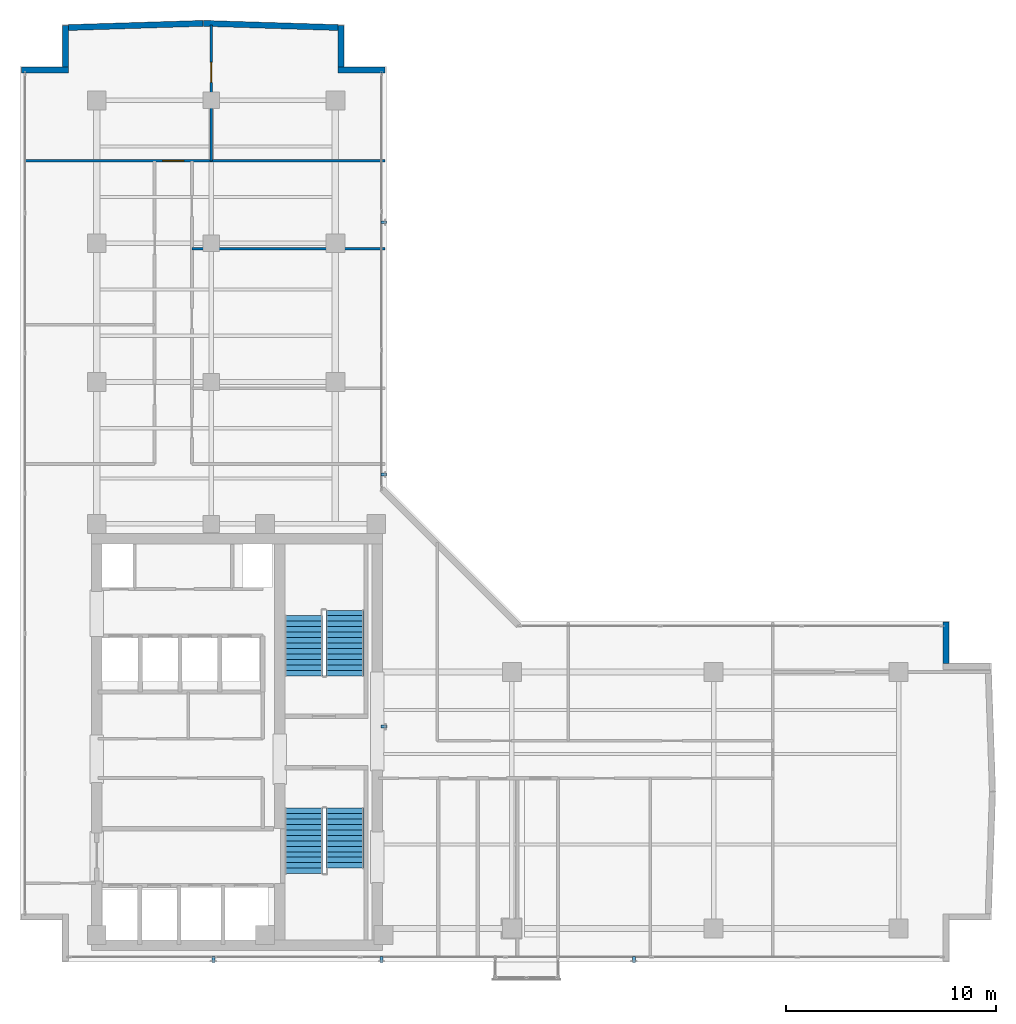
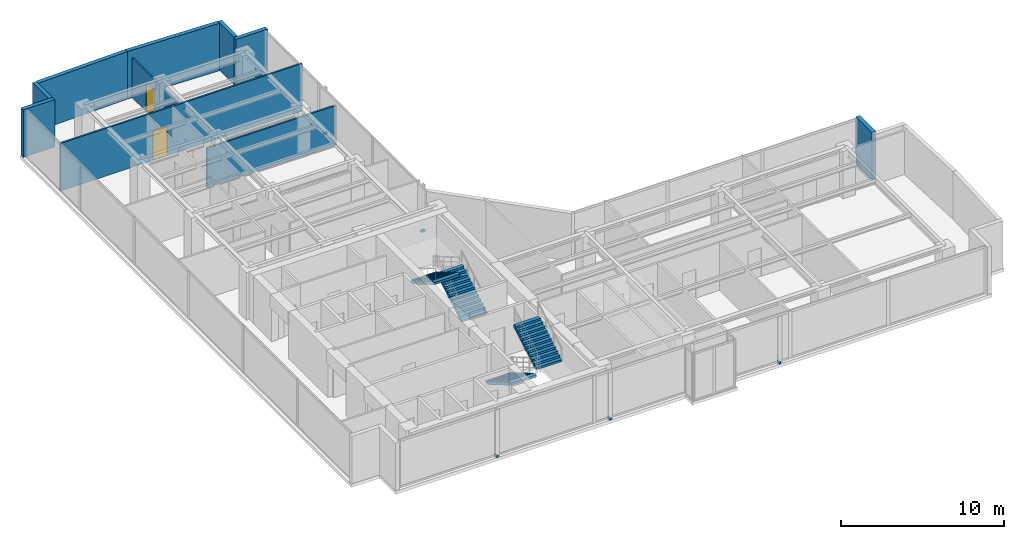
# One storey, part 19 of 22: 10 walls, 6 discrete accessories, 4 stair flights, 2 doors, 2 openings, 2 elements without a shape of their own.
"""IFC4 building model written with IfcOpenShell, lengths in metres."""

from ifc_helpers import new_model, si_unit, direction, frame, frame_2d, origin, origin_with_axes, origin_2d, place, context, subcontext, project, spatial, polyline, rectangle, outline, extrude, source, transform, mapped, material, layer, layer_set, type_object, element, fill, aggregate, save


model = new_model("IFC4")

# Units and contexts
model_context = context("Model", 3, precision=1e-05, world=origin(), true_north=direction((0.0, 1.0)))
body_context = subcontext(model_context, "Body", "Model", "MODEL_VIEW")
ifc_project = project(units=[si_unit("LENGTHUNIT", "METRE"), si_unit("AREAUNIT", "SQUARE_METRE"), si_unit("VOLUMEUNIT", "CUBIC_METRE"), si_unit("PLANEANGLEUNIT", "RADIAN"), si_unit("MASSUNIT", "GRAM", prefix="KILO")], contexts=[model_context])

# Site, building, storey
site_placement = place(None, origin())
site = spatial("IfcSite", under=ifc_project, at=site_placement, CompositionType="ELEMENT")
building_placement = place(site_placement, origin())
building = spatial("IfcBuilding", under=site, at=building_placement, Name="Kolvaren Waterfront Exchange", CompositionType="ELEMENT")
storey_placement = place(building_placement, frame((0.0, 0.0, 323.60009765625)))
storey = spatial("IfcBuildingStorey", under=building, at=storey_placement, Name="L83", CompositionType="ELEMENT", Elevation=323.60009765625)

# Walls
ifc_material_1 = material(Name="Precast concrete C40/50", Category="concrete")
ifc_layer_1 = layer(ifc_material_1, 0.280029296875, Name="Precast concrete C40/50")
ifc_layer_set_1 = layer_set([ifc_layer_1], Name="Precast concrete C40/50")
wall_type_1 = type_object("IfcWallType", Name="ARC-EXT-TERR-280", PredefinedType="SOLIDWALL", material=ifc_layer_set_1)
wall_1_placement = place(storey_placement, frame((47.8505859375, 17.796630859375, 0.0), z_axis=(0.0, 0.0, 1.0), x_axis=(0.0, 1.0, 0.0)))
element("IfcWall", 1, at=wall_1_placement, inside=storey, type_object=wall_type_1, Name="L83 notched corner spandrel pier ENE-A", PredefinedType="SOLIDWALL", context=body_context, shape_type="SweptSolid", body=[
    extrude(rectangle(XDim=1.974853515625, YDim=0.280029296875, at=frame_2d((0.9873046875, 0.0))), origin(), (0.0, 0.0, 1.0), 3.559814453125),
])
wall_2_placement = place(storey_placement, frame((18.931640625, 46.050537109375, 0.0), z_axis=(0.0, 0.0, 1.0), x_axis=(1.0, 0.0, 0.0)))
element("IfcWall", 2, at=wall_2_placement, inside=storey, type_object=wall_type_1, Name="L83 notched corner spandrel pier NNE-A", PredefinedType="SOLIDWALL", context=body_context, shape_type="SweptSolid", body=[
    extrude(rectangle(XDim=2.239990234375, YDim=0.280029296875, at=frame_2d((1.1201171875, 0.0))), origin(), (0.0, 0.0, 1.0), 3.559814453125),
])
wall_3_placement = place(storey_placement, frame((19.071533203125, 46.1904296875, 0.0), z_axis=(0.0, 0.0, 1.0), x_axis=(0.0, 1.0, 0.0)))
element("IfcWall", 3, at=wall_3_placement, inside=storey, type_object=wall_type_1, Name="L83 notched corner spandrel pier NNE-B", PredefinedType="SOLIDWALL", context=body_context, shape_type="SweptSolid", body=[
    extrude(rectangle(XDim=1.9599609375, YDim=0.280029296875, at=frame_2d((0.97998046875, 0.0))), origin(), (0.0, 0.0, 1.0), 3.559814453125),
])
wall_4_placement = place(storey_placement, frame((3.860107421875, 46.050537109375, 0.0), z_axis=(0.0, 0.0, 1.0), x_axis=(1.0, 0.0, 0.0)))
element("IfcWall", 4, at=wall_4_placement, inside=storey, type_object=wall_type_1, Name="L83 notched corner spandrel pier NW-A", PredefinedType="SOLIDWALL", context=body_context, shape_type="SweptSolid", body=[
    extrude(rectangle(XDim=2.239990234375, YDim=0.280029296875, at=frame_2d((1.1201171875, 0.0))), origin(), (0.0, 0.0, 1.0), 3.559814453125),
])
wall_5_placement = place(storey_placement, frame((5.9599609375, 46.1904296875, 0.0), z_axis=(0.0, 0.0, 1.0), x_axis=(0.0, 1.0, 0.0)))
element("IfcWall", 5, at=wall_5_placement, inside=storey, type_object=wall_type_1, Name="L83 notched corner spandrel pier NW-B", PredefinedType="SOLIDWALL", context=body_context, shape_type="SweptSolid", body=[
    extrude(rectangle(XDim=1.9599609375, YDim=0.280029296875, at=frame_2d((0.97998046875, 0.0))), origin(), (0.0, 0.0, 1.0), 3.559814453125),
])
wall_6_placement = place(storey_placement, frame((18.9267578125, 48.06005859375, 0.0), z_axis=(0.0, 0.0, 1.0), x_axis=(-0.999509317804, 0.031322892966, 0.0)))
element("IfcWall", 6, at=wall_6_placement, inside=storey, type_object=wall_type_1, Name="L83 north prow faceted facade wall 1", PredefinedType="SOLIDWALL", context=body_context, shape_type="SweptSolid", body=[
    extrude(rectangle(XDim=6.399169921875, YDim=0.280029296875, at=frame_2d((3.19970703125, 0.0))), origin(), (0.0, 0.0, 1.0), 3.559814453125),
])
wall_7_placement = place(storey_placement, frame((12.500732421875, 48.260498046875, 0.0), z_axis=(0.0, 0.0, 1.0), x_axis=(-0.99950928037, -0.03132408746, 0.0)))
element("IfcWall", 7, at=wall_7_placement, inside=storey, type_object=wall_type_1, Name="L83 north prow faceted facade wall 2", PredefinedType="SOLIDWALL", context=body_context, shape_type="SweptSolid", body=[
    extrude(rectangle(XDim=6.39892578125, YDim=0.280029296875, at=frame_2d((3.199462890625, 0.0))), origin(), (0.0, 0.0, 1.0), 3.559814453125),
])

# Wall, opening, door
ifc_material_2 = material(Name="Acoustic gypsum steel stud", Category="steel")
ifc_layer_2 = layer(ifc_material_2, 0.125, Name="Acoustic gypsum steel stud")
ifc_layer_set_2 = layer_set([ifc_layer_2], Name="Acoustic gypsum steel stud")
wall_type_2 = type_object("IfcWallType", Name="ARC-PART-125", PredefinedType="PARTITIONING", material=ifc_layer_set_2)
wall_8_placement = place(storey_placement, frame((4.0400390625, 41.719970703125, 0.0), z_axis=(0.0, 0.0, 1.0), x_axis=(1.0, 0.0, 0.0)))
wall_8 = element("IfcWall", 8, at=wall_8_placement, inside=storey, type_object=wall_type_2, Name="L83 interior wall PW-L83-NTIP-S", PredefinedType="PARTITIONING", context=body_context, shape_type="SweptSolid", body=[
    extrude(rectangle(XDim=17.119873046875, YDim=0.125, at=frame_2d((8.56005859375, 0.0))), origin(), (0.0, 0.0, 1.0), 3.559814453125),
])
opening_1_placement = place(wall_8_placement, frame((6.550048828125, 0.0, 0.0)))
opening_1 = element("IfcOpeningElement", 9, at=opening_1_placement, cuts=wall_8, Name="Opening D03", PredefinedType="OPENING", context=body_context, shape_type="SweptSolid", body=[
    extrude(rectangle(XDim=1.0, YDim=2.199951171875, at=frame_2d((0.5, 1.10009765625))), frame((0.0, 0.072509765625, 0.0), z_axis=(0.0, -1.0, 0.0), x_axis=(1.0, 0.0, 0.0)), (0.0, 0.0, 1.0), 0.14501953125),
])
ifc_material_3 = material(Name="Oak veneer accessible timber", Category="wood")
door_type_1 = type_object("IfcDoorType", Name="ARC-DR-1000", OperationType="NOTDEFINED", PredefinedType="DOOR", material=ifc_material_3)
door_1_placement = place(opening_1_placement, origin())
door_1 = element("IfcDoor", 10, at=door_1_placement, inside=storey, type_object=door_type_1, Name="L83 door DR-L83-NTIPW-D (D03)", OperationType="SINGLE_SWING_LEFT", OverallHeight=2.199951171875, OverallWidth=1.0, PredefinedType="DOOR", context=body_context, shape_type="SweptSolid", body=[
    extrude(rectangle(XDim=1.0, YDim=2.199951171875, at=frame_2d((0.5, 1.10009765625))), frame((0.0, 0.02490234375, 0.0), z_axis=(0.0, -1.0, 0.0), x_axis=(1.0, 0.0, 0.0)), (0.0, 0.0, 1.0), 0.050048828125),
])
fill(opening_1, door_1)

wall_9_placement = place(storey_placement, frame((12.89990234375, 41.719970703125, 0.0), z_axis=(0.0, 0.0, 1.0), x_axis=(0.0, 1.0, 0.0)))
wall_9 = element("IfcWall", 11, at=wall_9_placement, inside=storey, type_object=wall_type_2, Name="L83 interior wall PW-L83-NTIP-DIV", PredefinedType="PARTITIONING", context=body_context, shape_type="SweptSolid", body=[
    extrude(rectangle(XDim=6.4609375, YDim=0.125, at=frame_2d((3.23046875, 0.0))), origin(), (0.0, 0.0, 1.0), 2.9599609375),
])
opening_2_placement = place(wall_9_placement, frame((3.730712890625, 0.0, 0.0)))
opening_2 = element("IfcOpeningElement", 12, at=opening_2_placement, cuts=wall_9, Name="Opening D02", PredefinedType="OPENING", context=body_context, shape_type="SweptSolid", body=[
    extrude(rectangle(XDim=0.949951171875, YDim=2.14990234375, at=frame_2d((0.47509765625, 1.074951171875))), frame((0.0, 0.072509765625, 0.0), z_axis=(0.0, -1.0, 0.0), x_axis=(1.0, 0.0, 0.0)), (0.0, 0.0, 1.0), 0.14501953125),
])
ifc_material_4 = material(Name="Oak veneer acoustic timber", Category="wood")
door_type_2 = type_object("IfcDoorType", Name="ARC-DR-950", OperationType="NOTDEFINED", PredefinedType="DOOR", material=ifc_material_4)
door_2_placement = place(opening_2_placement, origin())
door_2 = element("IfcDoor", 13, at=door_2_placement, inside=storey, type_object=door_type_2, Name="L83 door DR-L83-NTIPE-D (D02)", OperationType="SINGLE_SWING_RIGHT", OverallHeight=2.14990234375, OverallWidth=0.949951171875, PredefinedType="DOOR", context=body_context, shape_type="SweptSolid", body=[
    extrude(rectangle(XDim=0.949951171875, YDim=2.14990234375, at=frame_2d((0.47509765625, 1.074951171875))), frame((0.0, 0.02490234375, 0.0), z_axis=(0.0, -1.0, 0.0), x_axis=(1.0, 0.0, 0.0)), (0.0, 0.0, 1.0), 0.050048828125),
])
fill(opening_2, door_2)

# Wall
wall_10_placement = place(storey_placement, frame((11.97998046875, 37.5400390625, 0.0), z_axis=(0.0, 0.0, 1.0), x_axis=(1.0, 0.0, 0.0)))
element("IfcWall", 14, at=wall_10_placement, inside=storey, type_object=wall_type_2, Name="L83 interior wall PW-L83-NE-DIV-2", PredefinedType="PARTITIONING", context=body_context, shape_type="SweptSolid", body=[
    extrude(rectangle(XDim=9.179931640625, YDim=0.125, at=frame_2d((4.58984375, 0.0))), origin(), (0.0, 0.0, 1.0), 2.9599609375),
])

# Stair, stair flights
ifc_material_5 = material(Name="Concrete C40/50", Category="concrete")
stair_type = type_object("IfcStairType", Name="ARC-STAIR-3800", PredefinedType="HALF_TURN_STAIR", material=ifc_material_5)
stair_1_placement = place(storey_placement, origin())
stair_1 = element("IfcStair", 15, at=stair_1_placement, inside=storey, type_object=stair_type, Name="L83 Smoke-proof exit stair ST1", PredefinedType="HALF_TURN_STAIR")
stair_flight_type = type_object("IfcStairFlightType", Name="ARC-FLIGHT-3800", PredefinedType="STRAIGHT", material=ifc_material_5)
stair_flight_1_placement = place(storey_placement, frame((17.300048828125, 10.929931640625, 0.0), z_axis=(0.0, 0.0, 1.0), x_axis=(0.0, -1.0, 0.0)))
stair_flight_1 = element("IfcStairFlight", 16, at=stair_flight_1_placement, type_object=stair_flight_type, Name="ST1 flight 1", NumberOfRisers=13, NumberOfTreads=12, PredefinedType="STRAIGHT", RiserHeight=0.152, TreadLength=0.26, context=body_context, shape_type="SweptSolid", body=[
    extrude(outline(polyline([(0.0, 0.0), (0.0, 0.152099609375), (0.260009765625, 0.152099609375), (0.260009765625, 0.303955078125), (0.52001953125, 0.303955078125), (0.52001953125, 0.4560546875), (0.780029296875, 0.4560546875), (0.780029296875, 0.60791015625), (1.0400390625, 0.60791015625), (1.0400390625, 0.760009765625), (1.300048828125, 0.760009765625), (1.300048828125, 0.912109375), (1.56005859375, 0.912109375), (1.56005859375, 1.06396484375), (1.820068359375, 1.06396484375), (1.820068359375, 1.216064453125), (2.080078125, 1.216064453125), (2.080078125, 1.367919921875), (2.340087890625, 1.367919921875), (2.340087890625, 1.52001953125), (2.60009765625, 1.52001953125), (2.60009765625, 1.672119140625), (2.860107421875, 1.672119140625), (2.860107421875, 1.823974609375), (3.1201171875, 1.823974609375), (3.1201171875, 1.97607421875), (3.1201171875, 1.650390625), (0.297119140625, 0.0), (0.0, 0.0)])), frame((0.0, 0.89990234375, 0.0), z_axis=(0.0, -1.0, 0.0), x_axis=(1.0, 0.0, 0.0)), (0.0, 0.0, 1.0), 1.800048828125),
])
stair_flight_2_placement = place(storey_placement, frame((19.260009765625, 8.070068359375, 1.975830078125), z_axis=(0.0, 0.0, 1.0), x_axis=(0.0, 1.0, 0.0)))
stair_flight_2 = element("IfcStairFlight", 17, at=stair_flight_2_placement, type_object=stair_flight_type, Name="ST1 flight 2", NumberOfRisers=12, NumberOfTreads=11, PredefinedType="STRAIGHT", RiserHeight=0.152, TreadLength=0.26, context=body_context, shape_type="SweptSolid", body=[
    extrude(outline(polyline([(0.0, 0.0), (0.0, 0.152099609375), (0.260009765625, 0.152099609375), (0.260009765625, 0.303955078125), (0.52001953125, 0.303955078125), (0.52001953125, 0.4560546875), (0.780029296875, 0.4560546875), (0.780029296875, 0.60791015625), (1.0400390625, 0.60791015625), (1.0400390625, 0.760009765625), (1.300048828125, 0.760009765625), (1.300048828125, 0.912109375), (1.56005859375, 0.912109375), (1.56005859375, 1.06396484375), (1.820068359375, 1.06396484375), (1.820068359375, 1.216064453125), (2.080078125, 1.216064453125), (2.080078125, 1.367919921875), (2.340087890625, 1.367919921875), (2.340087890625, 1.52001953125), (2.60009765625, 1.52001953125), (2.60009765625, 1.672119140625), (2.860107421875, 1.672119140625), (2.860107421875, 1.823974609375), (2.860107421875, 1.498291015625), (0.297119140625, 0.0), (0.0, 0.0)])), frame((0.0, 0.89990234375, 0.0), z_axis=(0.0, -1.0, 0.0), x_axis=(1.0, 0.0, 0.0)), (0.0, 0.0, 1.0), 1.800048828125),
])
aggregate(stair_1, [stair_flight_1, stair_flight_2])

stair_2_placement = place(storey_placement, origin())
stair_2 = element("IfcStair", 18, at=stair_2_placement, inside=storey, type_object=stair_type, Name="L83 Smoke-proof exit stair ST2", PredefinedType="HALF_TURN_STAIR")
stair_flight_3_placement = place(storey_placement, frame((19.260009765625, 17.219970703125, 0.0), z_axis=(0.0, 0.0, 1.0), x_axis=(0.0, 1.0, 0.0)))
stair_flight_3 = element("IfcStairFlight", 19, at=stair_flight_3_placement, type_object=stair_flight_type, Name="ST2 flight 1", NumberOfRisers=13, NumberOfTreads=12, PredefinedType="STRAIGHT", RiserHeight=0.152, TreadLength=0.26, context=body_context, shape_type="SweptSolid", body=[
    extrude(outline(polyline([(0.0, 0.0), (0.0, 0.152099609375), (0.260009765625, 0.152099609375), (0.260009765625, 0.303955078125), (0.52001953125, 0.303955078125), (0.52001953125, 0.4560546875), (0.780029296875, 0.4560546875), (0.780029296875, 0.60791015625), (1.0400390625, 0.60791015625), (1.0400390625, 0.760009765625), (1.300048828125, 0.760009765625), (1.300048828125, 0.912109375), (1.56005859375, 0.912109375), (1.56005859375, 1.06396484375), (1.820068359375, 1.06396484375), (1.820068359375, 1.216064453125), (2.080078125, 1.216064453125), (2.080078125, 1.367919921875), (2.340087890625, 1.367919921875), (2.340087890625, 1.52001953125), (2.60009765625, 1.52001953125), (2.60009765625, 1.672119140625), (2.860107421875, 1.672119140625), (2.860107421875, 1.823974609375), (3.1201171875, 1.823974609375), (3.1201171875, 1.97607421875), (3.1201171875, 1.650390625), (0.297119140625, 0.0), (0.0, 0.0)])), frame((0.0, 0.89990234375, 0.0), z_axis=(0.0, -1.0, 0.0), x_axis=(1.0, 0.0, 0.0)), (0.0, 0.0, 1.0), 1.800048828125),
])
stair_flight_4_placement = place(storey_placement, frame((17.300048828125, 20.080078125, 1.975830078125), z_axis=(0.0, 0.0, 1.0), x_axis=(0.0, -1.0, 0.0)))
stair_flight_4 = element("IfcStairFlight", 20, at=stair_flight_4_placement, type_object=stair_flight_type, Name="ST2 flight 2", NumberOfRisers=12, NumberOfTreads=11, PredefinedType="STRAIGHT", RiserHeight=0.152, TreadLength=0.26, context=body_context, shape_type="SweptSolid", body=[
    extrude(outline(polyline([(0.0, 0.0), (0.0, 0.152099609375), (0.260009765625, 0.152099609375), (0.260009765625, 0.303955078125), (0.52001953125, 0.303955078125), (0.52001953125, 0.4560546875), (0.780029296875, 0.4560546875), (0.780029296875, 0.60791015625), (1.0400390625, 0.60791015625), (1.0400390625, 0.760009765625), (1.300048828125, 0.760009765625), (1.300048828125, 0.912109375), (1.56005859375, 0.912109375), (1.56005859375, 1.06396484375), (1.820068359375, 1.06396484375), (1.820068359375, 1.216064453125), (2.080078125, 1.216064453125), (2.080078125, 1.367919921875), (2.340087890625, 1.367919921875), (2.340087890625, 1.52001953125), (2.60009765625, 1.52001953125), (2.60009765625, 1.672119140625), (2.860107421875, 1.672119140625), (2.860107421875, 1.823974609375), (2.860107421875, 1.498291015625), (0.297119140625, 0.0), (0.0, 0.0)])), frame((0.0, 0.89990234375, 0.0), z_axis=(0.0, -1.0, 0.0), x_axis=(1.0, 0.0, 0.0)), (0.0, 0.0, 1.0), 1.800048828125),
])
aggregate(stair_2, [stair_flight_3, stair_flight_4])

# Discrete accessories
ifc_material_6 = material(Name="Stainless steel 316", Category="steel")
discrete_accessory_type = type_object("IfcDiscreteAccessoryType", Name="ARC-BRK-FIN", PredefinedType="BRACKET", material=ifc_material_6)
shared_shape = source(origin_with_axes(), body_context, "Body", "SweptSolid", [
    extrude(rectangle(XDim=0.280029296875, YDim=0.139892578125, at=origin_2d()), origin(), (0.0, 0.0, 1.0), 0.159912109375),
])
for number, where, z_axis, x_axis, name in (
    (21, (13.0, 3.719970703125, 0.0), (0.0, 0.0, 1.0), (0.0, -1.0, 0.0), "L83 bronze fin anchor bracket FIN-L83-S1"),
    (22, (21.0, 3.719970703125, 0.0), (0.0, 0.0, 1.0), (0.0, -1.0, 0.0), "L83 bronze fin anchor bracket FIN-L83-S2"),
    (23, (33.0, 3.719970703125, 0.0), (0.0, 0.0, 1.0), (0.0, -1.0, 0.0), "L83 bronze fin anchor bracket FIN-L83-S3"),
    (24, (21.111572265625, 14.800048828125, 0.0), (0.0, 0.0, 1.0), (1.0, 0.0, 0.0), "L83 bronze fin anchor bracket FIN-L83-E1"),
    (25, (21.111572265625, 26.800048828125, 0.0), (0.0, 0.0, 1.0), (1.0, 0.0, 0.0), "L83 bronze fin anchor bracket FIN-L83-E2"),
    (26, (21.111572265625, 38.800048828125, 0.0), (0.0, 0.0, 1.0), (1.0, 0.0, 0.0), "L83 bronze fin anchor bracket FIN-L83-E3"),
):
    element("IfcDiscreteAccessory", number, at=place(storey_placement, frame(where, z_axis=z_axis, x_axis=x_axis)), inside=storey, type_object=discrete_accessory_type, Name=name, PredefinedType="BRACKET", context=body_context, shape_type="MappedRepresentation", body=[
        mapped(shared_shape, transform((0.0, 0.0, 0.0), x_axis=(1.0, 0.0, 0.0), y_axis=(0.0, 1.0, 0.0), z_axis=(0.0, 0.0, 1.0), scale=1.0)),
    ])

save(model, "model.ifc")
